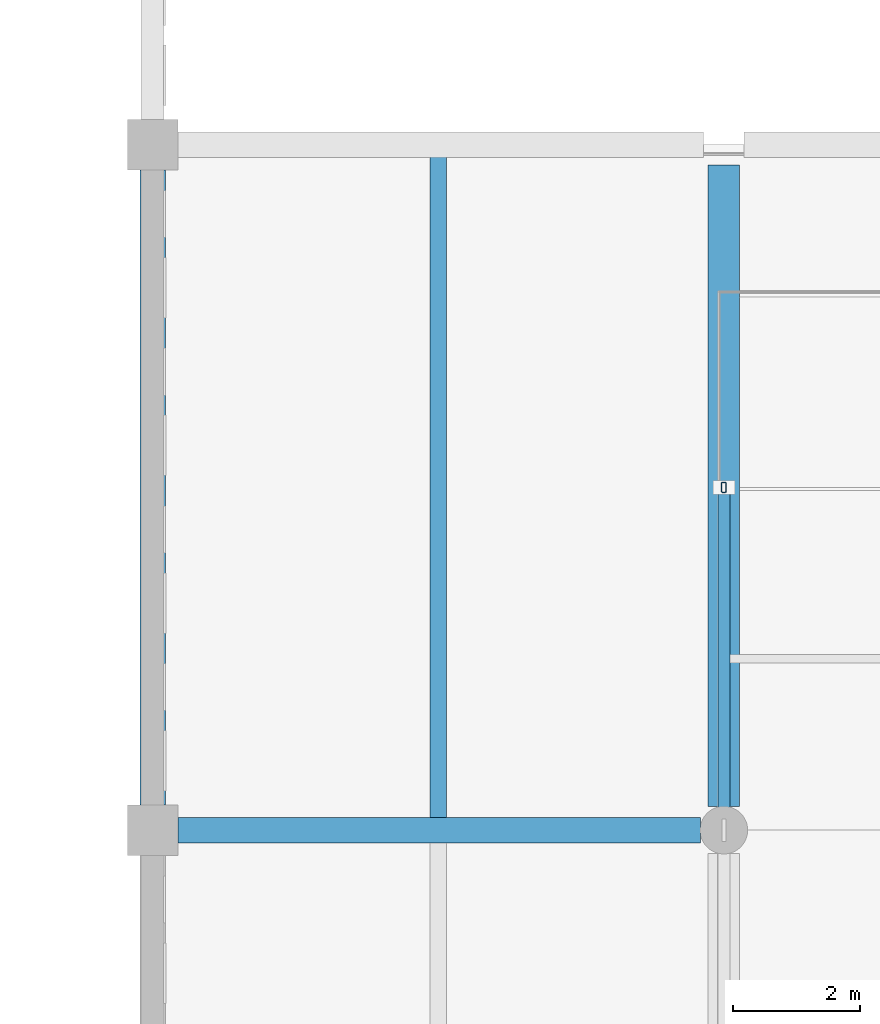
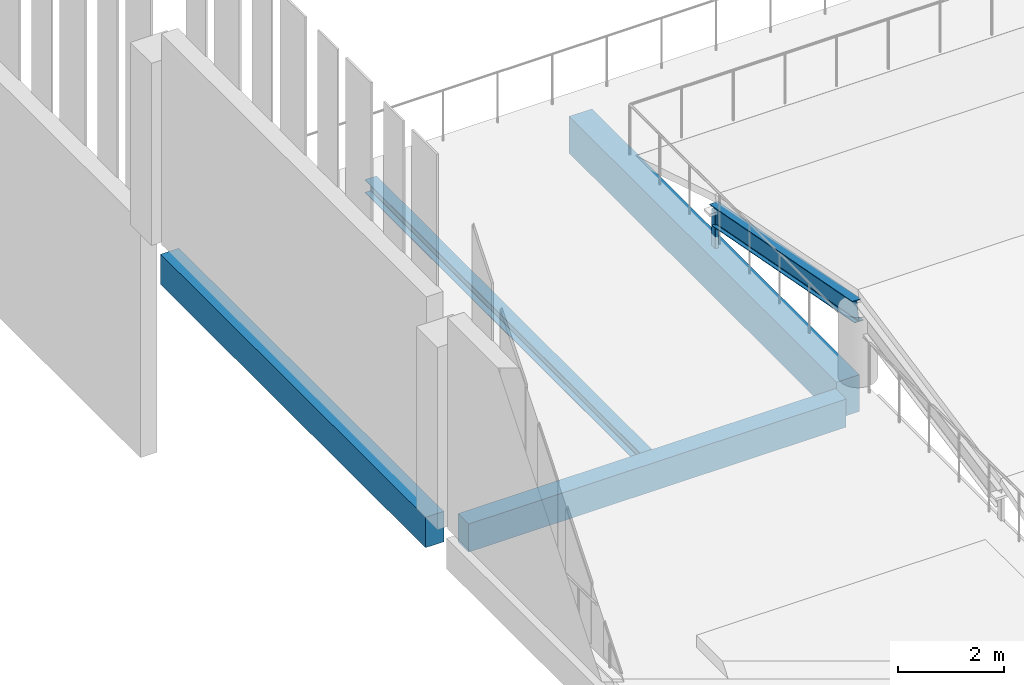
# One storey, part 17 of 158: 5 beams, 1 member.
"""IFC4 building model written with IfcOpenShell, lengths in metres."""

from ifc_helpers import new_model, si_unit, direction, frame, origin, origin_2d, place, context, subcontext, project, spatial, rectangle, hollow_rectangle, i_section, extrude, material, material_profile, profile_set, type_object, element, save


model = new_model("IFC4")

# Units and contexts
model_context = context("Model", 3, precision=1e-05, world=origin(), true_north=direction((0.0, 1.0)))
body_context = subcontext(model_context, "Body", "Model", "MODEL_VIEW")
ifc_project = project(units=[si_unit("LENGTHUNIT", "METRE"), si_unit("AREAUNIT", "SQUARE_METRE"), si_unit("VOLUMEUNIT", "CUBIC_METRE"), si_unit("PLANEANGLEUNIT", "RADIAN"), si_unit("MASSUNIT", "GRAM", prefix="KILO")], contexts=[model_context])

# Site, building, storey
site_placement = place(None, origin())
site = spatial("IfcSite", under=ifc_project, at=site_placement, CompositionType="ELEMENT")
building_placement = place(site_placement, origin())
building = spatial("IfcBuilding", under=site, at=building_placement, Name="Lusvemor Sports Hall", CompositionType="ELEMENT")
storey_placement = place(building_placement, frame((0.0, 0.0, 10.800048828125)))
storey = spatial("IfcBuildingStorey", under=building, at=storey_placement, Name="L02", CompositionType="ELEMENT", Elevation=10.800048828125)

# Beams
ifc_material_1 = material(Name="Concrete C40/50", Category="concrete")
ifc_material_profile_1 = material_profile(ifc_material_1, rectangle(XDim=0.39990234375, YDim=0.64990234375, at=origin_2d()), Name="RC400x650")
ifc_profile_set_1 = profile_set([ifc_material_profile_1], Name="Concrete C40/50")
beam_type_1 = type_object("IfcBeamType", Name="BEAM_RC_650", PredefinedType="BEAM", material=ifc_profile_set_1)
beam_1_placement = place(storey_placement, frame((75.99609375, 18.0, -0.594970703125), z_axis=(1.0, 0.0, 0.0), x_axis=(0.0, 1.0, 0.0)))
element("IfcBeam", 1, at=beam_1_placement, inside=storey, type_object=beam_type_1, Name="Beam L02 C:8-9", PredefinedType="BEAM", context=body_context, shape_type="SweptSolid", body=[
    extrude(rectangle(XDim=0.39990234375, YDim=0.64990234375, at=origin_2d()), origin(), (0.0, 0.0, 1.0), 8.23291015625),
])
ifc_material_2 = material(Name="Concrete C40/50", Category="concrete")
ifc_material_profile_2 = material_profile(ifc_material_2, rectangle(XDim=0.5, YDim=0.85009765625, at=origin_2d()), Name="RC500x850")
ifc_profile_set_2 = profile_set([ifc_material_profile_2], Name="Concrete C40/50")
beam_type_2 = type_object("IfcBeamType", Name="GIRD_RC_850", PredefinedType="T_BEAM", material=ifc_profile_set_2)
beam_2_placement = place(storey_placement, frame((84.60009765625, 18.37109375, -0.695068359375), z_axis=(0.0, 1.0, 0.0), x_axis=(-1.0, 0.0, 0.0)))
element("IfcBeam", 2, at=beam_2_placement, inside=storey, type_object=beam_type_2, Name="Beam L02 9:C-D", PredefinedType="T_BEAM", context=body_context, shape_type="SweptSolid", body=[
    extrude(rectangle(XDim=0.5, YDim=0.85009765625, at=origin_2d()), origin(), (0.0, 0.0, 1.0), 10.10791015625),
])
ifc_material_3 = material(Name="Steel S355", Category="steel")
ifc_material_profile_3 = material_profile(ifc_material_3, i_section(OverallWidth=0.18994140625, OverallDepth=0.45703125, WebThickness=0.009033203125, FlangeThickness=0.014404296875, FilletRadius=0.01806640625, at=origin_2d()), Name="W460x74.0")
ifc_profile_set_3 = profile_set([ifc_material_profile_3], Name="Steel S355")
beam_type_3 = type_object("IfcBeamType", Name="GIRD_ST_460", PredefinedType="T_BEAM", material=ifc_profile_set_3)
beam_3_placement = place(storey_placement, frame((84.60009765625, 23.39990234375, 0.47998046875), z_axis=(0.0, -0.982289164746, 0.187371280679), x_axis=(1.0, 0.0, 0.0)))
element("IfcBeam", 3, at=beam_3_placement, inside=storey, type_object=beam_type_3, Name="Foyer Lantern Portal Rafter 9-2", PredefinedType="T_BEAM", context=body_context, shape_type="SweptSolid", body=[
    extrude(i_section(OverallWidth=0.18994140625, OverallDepth=0.45703125, WebThickness=0.009033203125, FlangeThickness=0.014404296875, FilletRadius=0.01806640625, at=origin_2d()), origin(), (0.0, 0.0, 1.0), 5.497314453125),
])
ifc_material_4 = material(Name="Steel S355", Category="steel")
ifc_material_profile_4 = material_profile(ifc_material_4, i_section(OverallWidth=0.25390625, OverallDepth=0.305908203125, WebThickness=0.0087890625, FlangeThickness=0.0146484375, FilletRadius=0.014892578125, at=origin_2d()), Name="W310x79.0")
ifc_profile_set_4 = profile_set([ifc_material_profile_4], Name="Steel S355")
beam_type_4 = type_object("IfcBeamType", Name="JOIST_ST_310H", PredefinedType="JOIST", material=ifc_profile_set_4)
beam_4_placement = place(storey_placement, frame((80.10009765625, 18.196044921875, -0.427001953125), z_axis=(0.0, 1.0, 0.0), x_axis=(-1.0, 0.0, 0.0)))
element("IfcBeam", 4, at=beam_4_placement, inside=storey, type_object=beam_type_4, Name="Secondary Joist L02 8-9/C-D #1", PredefinedType="JOIST", context=body_context, shape_type="SweptSolid", body=[
    extrude(i_section(OverallWidth=0.25390625, OverallDepth=0.305908203125, WebThickness=0.0087890625, FlangeThickness=0.0146484375, FilletRadius=0.014892578125, at=origin_2d()), origin(), (0.0, 0.0, 1.0), 10.407958984375),
])
ifc_material_5 = material(Name="Concrete C40/50", Category="concrete")
ifc_material_profile_5 = material_profile(ifc_material_5, rectangle(XDim=0.39990234375, YDim=0.699951171875, at=origin_2d()), Name="RC400x700")
ifc_profile_set_5 = profile_set([ifc_material_profile_5], Name="Concrete C40/50")
beam_type_5 = type_object("IfcBeamType", Name="SPAND_EXT_700", PredefinedType="SPANDREL", material=ifc_profile_set_5)
beam_5_placement = place(storey_placement, frame((75.60009765625, 18.39599609375, -0.6201171875), z_axis=(0.0, 1.0, 0.0), x_axis=(-1.0, 0.0, 0.0)))
element("IfcBeam", 5, at=beam_5_placement, inside=storey, type_object=beam_type_5, Name="Beam L02 8:C-D", PredefinedType="SPANDREL", context=body_context, shape_type="SweptSolid", body=[
    extrude(rectangle(XDim=0.39990234375, YDim=0.699951171875, at=origin_2d()), origin(), (0.0, 0.0, 1.0), 10.008056640625),
])

# Member
ifc_material_6 = material(Name="Steel S355", Category="steel")
ifc_material_profile_6 = material_profile(ifc_material_6, hollow_rectangle(XDim=0.080078125, YDim=0.159912109375, WallThickness=0.008056640625, InnerFilletRadius=0.008056640625, OuterFilletRadius=0.01611328125, at=origin_2d()), Name="RHS160x80x8")
ifc_profile_set_6 = profile_set([ifc_material_profile_6], Name="Steel S355")
member_type = type_object("IfcMemberType", Name="STRUT_LANTERN_160", PredefinedType="STRUT", material=ifc_profile_set_6)
member_placement = place(storey_placement, frame((84.60009765625, 23.39990234375, -0.5), z_axis=(0.0, 0.0, 1.0), x_axis=(1.0, 0.0, 0.0)))
element("IfcMember", 6, at=member_placement, inside=storey, type_object=member_type, Name="Lantern Gable Portal Strut 9-N", PredefinedType="STRUT", context=body_context, shape_type="SweptSolid", body=[
    extrude(hollow_rectangle(XDim=0.080078125, YDim=0.159912109375, WallThickness=0.008056640625, InnerFilletRadius=0.008056640625, OuterFilletRadius=0.01611328125, at=origin_2d()), origin(), (0.0, 0.0, 1.0), 1.06005859375),
])

save(model, "model.ifc")
